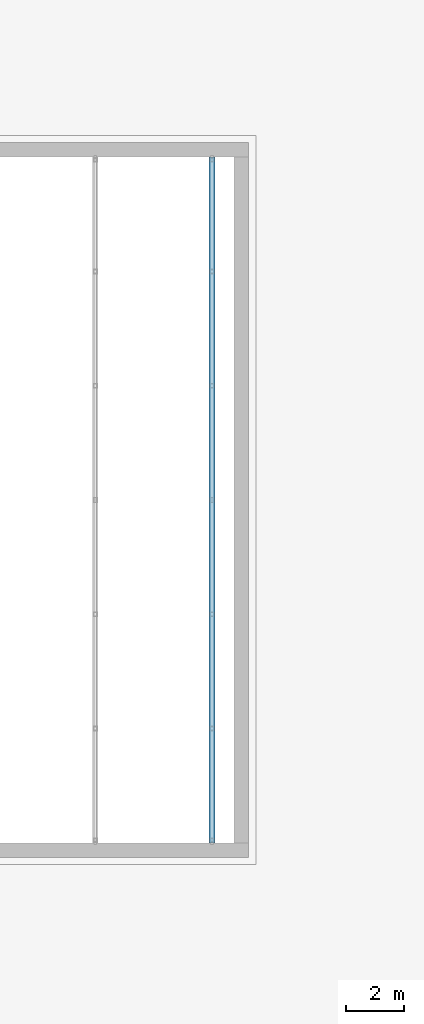
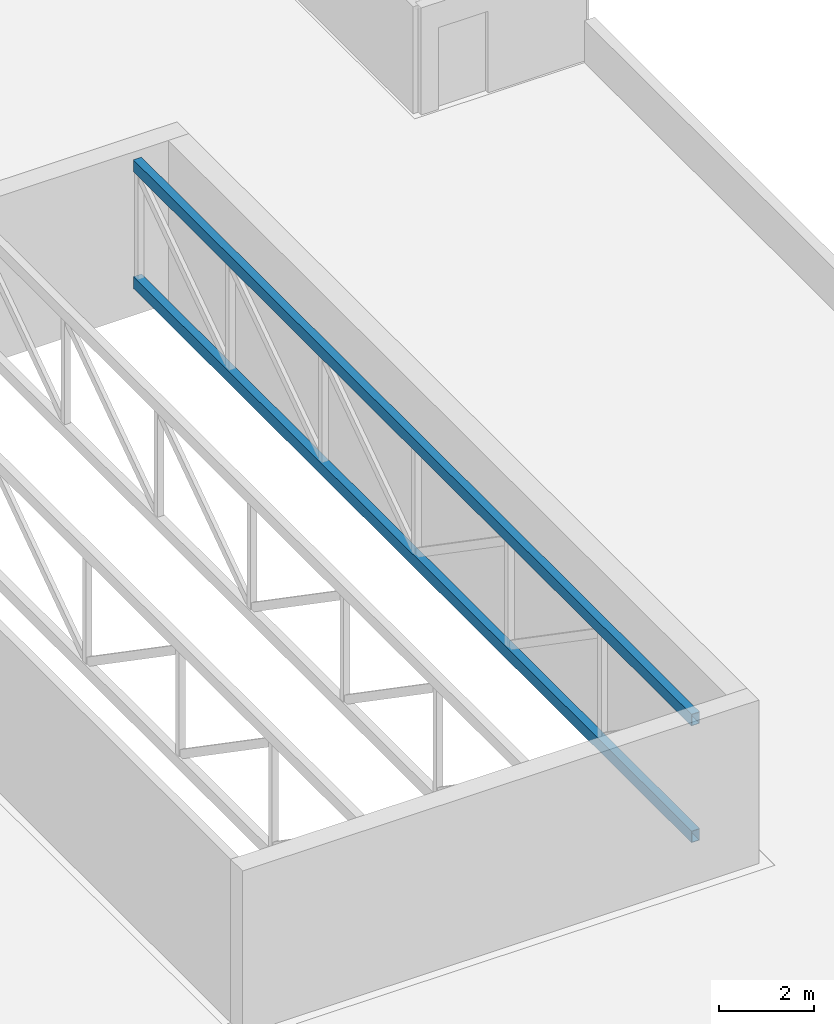
# One storey, part 12 of 33: 2 members.
"""IFC4 building model written with IfcOpenShell, lengths in metres."""

import ifcopenshell
import ifcopenshell.guid

model = None  # the IFC model being written
_history = None  # IfcOwnerHistory: only IFC2X3 demands one
_inside = {}  # id of a spatial element -> (the spatial element, [elements in it])
_under = {}  # id of a project, library or spatial element -> (it, [spatial elements below it])
_declared = {}  # id of a project -> (the project, [libraries it declares])
_typed = {}  # id of a type object -> (the type object, [elements of that type])
_made_of = {}  # id of a material, layer set ... -> (it, [elements and type objects made of it])


def new_model(schema):
    """Start an empty IFC model of exactly this schema.

    Asked for "IFC4X3", IfcOpenShell would pick the latest addendum, in which some entities
    have other attributes; the version numbers below select the first issue.
    IFC2X3 requires an IfcOwnerHistory on every rooted entity: one is made here for all.
    """
    global model, _history
    if schema == "IFC4X3":
        model = ifcopenshell.file(schema_version=(4, 3, 0, 0))
    else:
        model = ifcopenshell.file(schema=schema)
    _inside.clear()
    _under.clear()
    _declared.clear()
    _typed.clear()
    _made_of.clear()
    _history = None
    if model.schema == "IFC2X3":
        org = make("IfcOrganization", Name="unknown")
        user = make(
            "IfcPersonAndOrganization",
            ThePerson=make("IfcPerson", FamilyName="unknown"),
            TheOrganization=org,
        )
        app = make(
            "IfcApplication",
            ApplicationDeveloper=org,
            Version="unknown",
            ApplicationFullName="unknown",
            ApplicationIdentifier="unknown",
        )
        _history = make(
            "IfcOwnerHistory",
            OwningUser=user,
            OwningApplication=app,
            ChangeAction="ADDED",
            CreationDate=0,
        )
    return model


def make(cls, **values):
    """One entity of the class cls with the attributes given. An attribute that is None is left unset."""
    return model.create_entity(
        cls, **{name: value for name, value in values.items() if value is not None}
    )


def rooted(cls, **values):
    """An entity with a GlobalId (a new one), such as an element, a storey or a relation."""
    return make(cls, GlobalId=ifcopenshell.guid.new(), OwnerHistory=_history, **values)


def si_unit(unit_type, name, prefix=None):
    """IfcSIUnit, for example si_unit("LENGTHUNIT", "METRE", prefix="MILLI")."""
    return make("IfcSIUnit", UnitType=unit_type, Prefix=prefix, Name=name)


def assignment(units):
    """IfcUnitAssignment: the units of a project."""
    return None if units is None else make("IfcUnitAssignment", Units=units)


def point(xyz):
    """IfcCartesianPoint."""
    return None if xyz is None else make("IfcCartesianPoint", Coordinates=xyz)


def direction(xyz):
    """IfcDirection."""
    return None if xyz is None else make("IfcDirection", DirectionRatios=xyz)


def frame(location, z_axis=None, x_axis=None):
    """IfcAxis2Placement3D, a coordinate frame: its origin and axes. An axis left out is left unset."""
    return make(
        "IfcAxis2Placement3D",
        Location=point(location),
        Axis=direction(z_axis),
        RefDirection=direction(x_axis),
    )


def frame_2d(location, x_axis=None):
    """IfcAxis2Placement2D, a coordinate frame in the plane: its origin and x axis."""
    return make(
        "IfcAxis2Placement2D", Location=point(location), RefDirection=direction(x_axis)
    )


def origin():
    """The frame at (0, 0, 0) with its axes left unset."""
    return frame((0.0, 0.0, 0.0))


def origin_2d():
    """The frame at (0, 0) in the plane with its x axis left unset."""
    return frame_2d((0.0, 0.0))


def place(relative_to, where):
    """IfcLocalPlacement: puts the frame where relative to a parent placement (None: the world)."""
    return make(
        "IfcLocalPlacement", PlacementRelTo=relative_to, RelativePlacement=where
    )


def context(
    kind, dimensions, precision=None, world=None, true_north=None, identifier=None
):
    """IfcGeometricRepresentationContext, for example the 3D "Model" context."""
    return make(
        "IfcGeometricRepresentationContext",
        ContextIdentifier=identifier,
        ContextType=kind,
        CoordinateSpaceDimension=dimensions,
        Precision=precision,
        WorldCoordinateSystem=world,
        TrueNorth=true_north,
    )


def subcontext(parent, identifier, kind, view, scale=None):
    """IfcGeometricRepresentationSubContext, for example "Body" below "Model"."""
    return make(
        "IfcGeometricRepresentationSubContext",
        ContextIdentifier=identifier,
        ContextType=kind,
        ParentContext=parent,
        TargetScale=scale,
        TargetView=view,
    )


def project(units=None, contexts=None):
    """IfcProject with its units and contexts."""
    return rooted(
        "IfcProject",
        Name="project",
        RepresentationContexts=contexts,
        UnitsInContext=assignment(units),
    )


def spatial(cls, under=None, at=None, **own):
    """A site, building, storey or space (cls), placed at a placement, below another one or the project."""
    s = rooted(cls, ObjectPlacement=at, **own)
    if under is not None:
        _under.setdefault(under.id(), (under, []))[1].append(s)
    return s


def profile(cls, at=None, kind="AREA", **sizes):
    """A parametric profile (cls). Its sizes go by their IFC names, for example OverallWidth=200.0."""
    return make(cls, ProfileType=kind, Position=at, **sizes)


def hollow_rectangle(**sizes):
    """IfcRectangleHollowProfileDef."""
    return profile("IfcRectangleHollowProfileDef", **sizes)


def extrude(swept, where, along, depth):
    """IfcExtrudedAreaSolid: the profile swept, set in the frame where, extruded along a direction by depth."""
    return make(
        "IfcExtrudedAreaSolid",
        SweptArea=swept,
        Position=where,
        ExtrudedDirection=direction(along),
        Depth=depth,
    )


def shape(context_of_items, identifier, shape_type, items):
    """IfcShapeRepresentation: the items that make up one representation, for example the "Body"."""
    return make(
        "IfcShapeRepresentation",
        ContextOfItems=context_of_items,
        RepresentationIdentifier=identifier,
        RepresentationType=shape_type,
        Items=items,
    )


def material(Name=None, Category=None):
    """IfcMaterial."""
    return make("IfcMaterial", Name=Name, Category=Category)


def material_profile(
    of_material, cross_section, Name=None, Category=None, Priority=None
):
    """IfcMaterialProfile: a cross section and its material."""
    return make(
        "IfcMaterialProfile",
        Name=Name,
        Material=of_material,
        Profile=cross_section,
        Priority=Priority,
        Category=Category,
    )


def profile_set(profiles, Name=None, composite=None):
    """IfcMaterialProfileSet."""
    return make(
        "IfcMaterialProfileSet",
        Name=Name,
        MaterialProfiles=profiles,
        CompositeProfile=composite,
    )


def made_of(thing, what):
    """Note that an element or type object is made of a material, layer set ...; save() writes the relation."""
    if what is not None:
        _made_of.setdefault(what.id(), (what, []))[1].append(thing)
    return thing


def type_object(cls, material=None, **own):
    """A type object (cls), such as IfcWallType, which elements share."""
    return made_of(rooted(cls, **own), material)


def element(
    cls,
    number,
    at=None,
    inside=None,
    cuts=None,
    type_object=None,
    material=None,
    context=None,
    identifier="Body",
    shape_type=None,
    held_by="IfcProductDefinitionShape",
    body=None,
    shapes=None,
    **own,
):
    """One element of the class cls, such as IfcWall. Its Tag is "e" and its number.

    at: its placement. inside: the storey or other place that contains it. cuts: it is an
    opening in that element (IfcRelVoidsElement). A single representation is given by context,
    identifier, shape_type and body (its items); several are given by shapes. held_by: the class
    of the entity that holds the representations. save() writes the other relations.
    """
    e = rooted(cls, Tag="e%d" % number, ObjectPlacement=at, **own)
    if body is not None:
        shapes = [shape(context, identifier, shape_type, body)]
    if shapes is not None:
        e.Representation = make(held_by, Representations=shapes)
    if inside is not None:
        _inside.setdefault(inside.id(), (inside, []))[1].append(e)
    if cuts is not None:
        rooted(
            "IfcRelVoidsElement", RelatingBuildingElement=cuts, RelatedOpeningElement=e
        )
    if type_object is not None:
        _typed.setdefault(type_object.id(), (type_object, []))[1].append(e)
    return made_of(e, material)


def aggregate(whole, parts):
    """IfcRelAggregates: a whole, such as a stair, and the parts it consists of."""
    return rooted("IfcRelAggregates", RelatingObject=whole, RelatedObjects=parts)


def save(model, path):
    """Write the relations noted so far, then the file.

    IfcRelAggregates (storeys below a building ...), IfcRelContainedInSpatialStructure (elements
    in a storey), IfcRelDefinesByType, IfcRelAssociatesMaterial and IfcRelDeclares: one each for
    every whole, place, type object, material and project.
    """
    for whole, parts in _under.values():
        aggregate(whole, parts)
    for where, things in _inside.values():
        rooted(
            "IfcRelContainedInSpatialStructure",
            RelatedElements=things,
            RelatingStructure=where,
        )
    for kind, things in _typed.values():
        rooted("IfcRelDefinesByType", RelatedObjects=things, RelatingType=kind)
    for what, things in _made_of.values():
        rooted("IfcRelAssociatesMaterial", RelatedObjects=things, RelatingMaterial=what)
    for by, libraries in _declared.values():
        rooted("IfcRelDeclares", RelatingContext=by, RelatedDefinitions=libraries)
    model.write(path)


model = new_model("IFC4")

# Units and contexts
model_context = context("Model", 3, precision=1e-05, world=origin(), true_north=direction((0.0, 1.0)))
body_context = subcontext(model_context, "Body", "Model", "MODEL_VIEW")
ifc_project = project(units=[si_unit("LENGTHUNIT", "METRE"), si_unit("AREAUNIT", "SQUARE_METRE"), si_unit("VOLUMEUNIT", "CUBIC_METRE"), si_unit("PLANEANGLEUNIT", "RADIAN"), si_unit("MASSUNIT", "GRAM", prefix="KILO")], contexts=[model_context])

# Site, building, storey
site_placement = place(None, origin())
site = spatial("IfcSite", under=ifc_project, at=site_placement, CompositionType="ELEMENT")
building_placement = place(site_placement, origin())
building = spatial("IfcBuilding", under=site, at=building_placement, Name="Nakaniwa Court", CompositionType="ELEMENT")
storey_placement = place(building_placement, frame((0.0, 0.0, 19.800048828125)))
storey = spatial("IfcBuildingStorey", under=building, at=storey_placement, Name="L04", CompositionType="ELEMENT", Elevation=19.800048828125)

# Members
ifc_material = material(Name="Steel AS/NZS 1163 Grade C350L0", Category="steel")
ifc_material_profile = material_profile(ifc_material, hollow_rectangle(XDim=0.199951171875, YDim=0.300048828125, WallThickness=0.010009765625, at=origin_2d()), Name="RHS 300x200x10")
ifc_profile_set = profile_set([ifc_material_profile], Name="Steel AS/NZS 1163 Grade C350L0")
member_type = type_object("IfcMemberType", Name="Roof truss chord RHS 300x200x10", PredefinedType="CHORD", material=ifc_profile_set)
for number, where, z_axis, x_axis, name in (
    (1, (205.0, 68.25, 3.849853515625), (0.0, 1.0, 0.0), (-1.0, 0.0, 0.0), "Roof truss S3 top chord"),
    (2, (205.0, 68.25, 0.849853515625), (0.0, 1.0, 0.0), (-1.0, 0.0, 0.0), "Roof truss S3 bottom chord"),
):
    element("IfcMember", number, at=place(storey_placement, frame(where, z_axis=z_axis, x_axis=x_axis)), inside=storey, type_object=member_type, Name=name, PredefinedType="CHORD", context=body_context, shape_type="SweptSolid", body=[
        extrude(hollow_rectangle(XDim=0.199951171875, YDim=0.300048828125, WallThickness=0.010009765625, at=origin_2d()), origin(), (0.0, 0.0, 1.0), 23.5),
    ])

save(model, "model.ifc")
